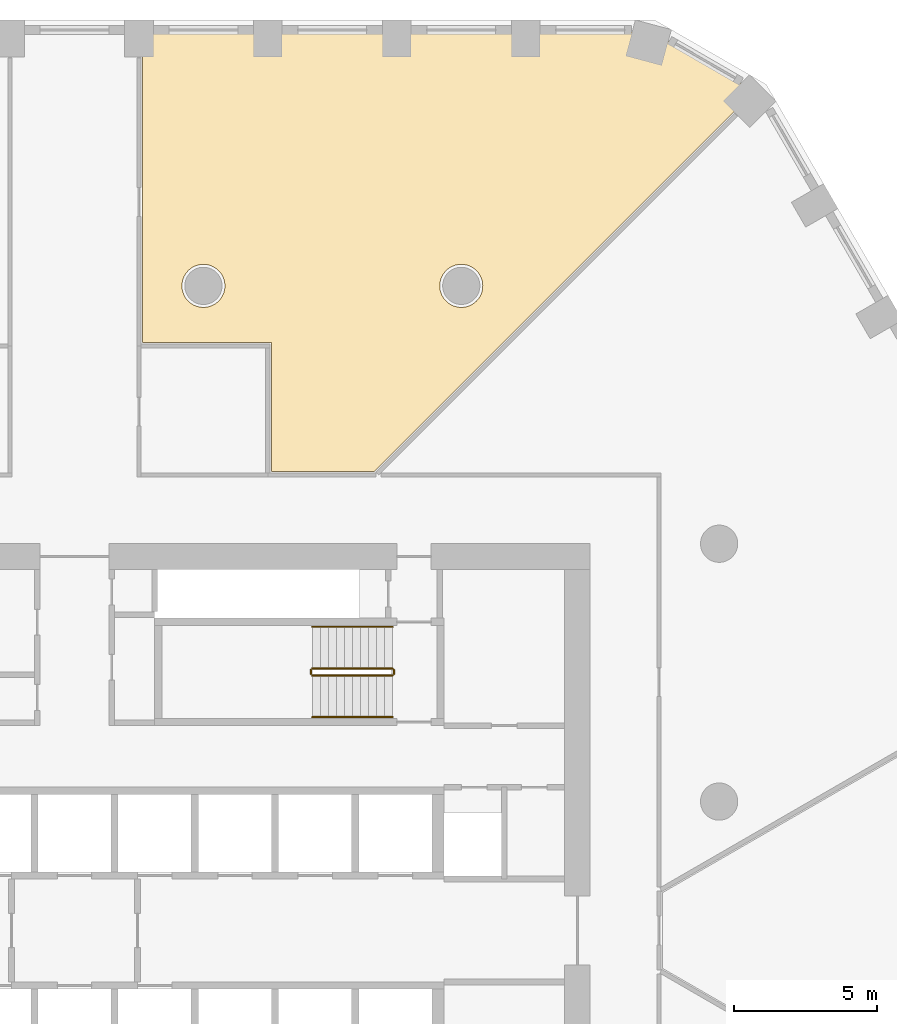
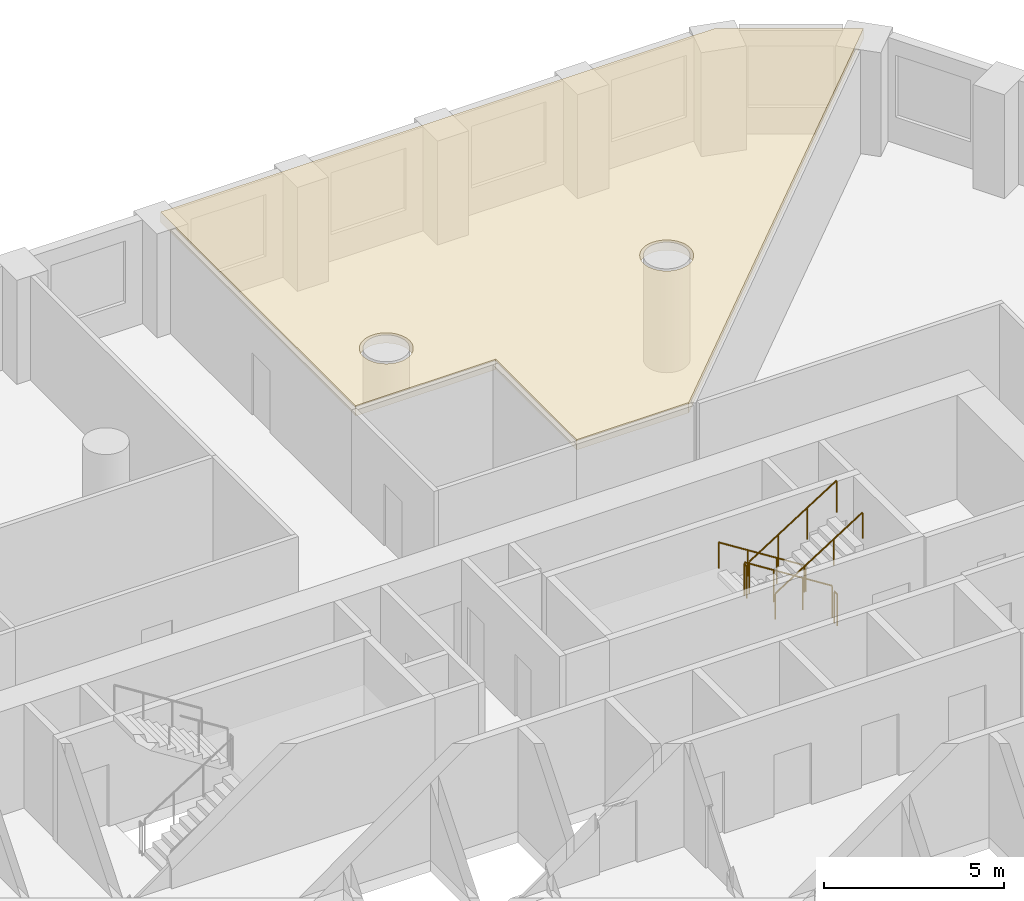
# One storey, part 13 of 14: 6 railings, 1 covering.
"""IFC4 building model written with IfcOpenShell, lengths in metres."""

from ifc_helpers import new_model, si_unit, direction, frame, origin, origin_2d, place, context, subcontext, project, spatial, polyline, circle, outline, extrude, material, layer, layer_set, type_object, element, save


model = new_model("IFC4")

# Units and contexts
model_context = context("Model", 3, precision=1e-05, world=origin(), true_north=direction((0.0, 1.0)))
body_context = subcontext(model_context, "Body", "Model", "MODEL_VIEW")
ifc_project = project(units=[si_unit("LENGTHUNIT", "METRE"), si_unit("AREAUNIT", "SQUARE_METRE"), si_unit("VOLUMEUNIT", "CUBIC_METRE"), si_unit("PLANEANGLEUNIT", "RADIAN"), si_unit("MASSUNIT", "GRAM", prefix="KILO")], contexts=[model_context])

# Site, building, storey
site_placement = place(None, origin())
site = spatial("IfcSite", under=ifc_project, at=site_placement, CompositionType="ELEMENT")
building_placement = place(site_placement, origin())
building = spatial("IfcBuilding", under=site, at=building_placement, Name="Dhurran Vertical Campus", CompositionType="ELEMENT")
storey_placement = place(building_placement, frame((0.0, 0.0, 96.89990234375)))
storey = spatial("IfcBuildingStorey", under=building, at=storey_placement, Name="L23", CompositionType="ELEMENT", Elevation=96.89990234375)

# Railings
ifc_material_1 = material(Name="Stainless steel balustrade", Category="steel")
railing_type_1 = type_object("IfcRailingType", Name="co-RL-GUARD-1100", PredefinedType="GUARDRAIL", material=ifc_material_1)
railing_1_placement = place(storey_placement, frame((11.10009765625, 9.14990234375, 0.177490234375)))
element("IfcRailing", 1, at=railing_1_placement, inside=storey, type_object=railing_type_1, Name="L23 ST2 stair guard 1", PredefinedType="GUARDRAIL", context=body_context, shape_type="SweptSolid", body=[
    extrude(circle(Radius=0.02392578125, at=origin_2d()), frame((0.0, 0.0, 1.076171875), z_axis=(-0.844908973607, 0.0, 0.534910110503), x_axis=(0.0, -1.0, 0.0)), (0.0, 0.0, 1.0), 3.31396484375),
    extrude(circle(Radius=0.02099609375, at=origin_2d()), origin(), (0.0, 0.0, 1.0), 1.052001953125),
    extrude(circle(Radius=0.02099609375, at=origin_2d()), frame((-0.933349609375, 0.0, 0.5908203125)), (0.0, 0.0, 1.0), 1.052001953125),
    extrude(circle(Radius=0.02099609375, at=origin_2d()), frame((-1.86669921875, 0.0, 1.181884765625)), (0.0, 0.0, 1.0), 1.052001953125),
    extrude(circle(Radius=0.02099609375, at=origin_2d()), frame((-2.800048828125, 0.0, 1.772705078125)), (0.0, 0.0, 1.0), 1.052001953125),
])
railing_2_placement = place(storey_placement, frame((8.25, 9.10009765625, 1.9501953125)))
element("IfcRailing", 2, at=railing_2_placement, inside=storey, type_object=railing_type_1, Name="L23 ST2 stair guard 2", PredefinedType="GUARDRAIL", context=body_context, shape_type="SweptSolid", body=[
    extrude(circle(Radius=0.02392578125, at=origin_2d()), frame((0.0, 0.0, 1.076171875), z_axis=(0.0, -1.0, 0.0), x_axis=(1.0, 0.0, 0.0)), (0.0, 0.0, 1.0), 0.150146484375),
    extrude(circle(Radius=0.02099609375, at=origin_2d()), origin(), (0.0, 0.0, 1.0), 1.052001953125),
    extrude(circle(Radius=0.02099609375, at=origin_2d()), frame((0.0, -0.150146484375, 0.0)), (0.0, 0.0, 1.0), 1.052001953125),
])
railing_3_placement = place(storey_placement, frame((8.300048828125, 8.89990234375, 2.12744140625)))
element("IfcRailing", 3, at=railing_3_placement, inside=storey, type_object=railing_type_1, Name="L23 ST2 stair guard 3", PredefinedType="GUARDRAIL", context=body_context, shape_type="SweptSolid", body=[
    extrude(circle(Radius=0.02392578125, at=origin_2d()), frame((0.0, 0.0, 1.076171875), z_axis=(0.844908973607, 0.0, 0.534910110503), x_axis=(0.0, 1.0, 0.0)), (0.0, 0.0, 1.0), 3.31396484375),
    extrude(circle(Radius=0.02099609375, at=origin_2d()), origin(), (0.0, 0.0, 1.0), 1.052001953125),
    extrude(circle(Radius=0.02099609375, at=origin_2d()), frame((0.933349609375, 0.0, 0.5908203125)), (0.0, 0.0, 1.0), 1.052001953125),
    extrude(circle(Radius=0.02099609375, at=origin_2d()), frame((1.86669921875, 0.0, 1.181884765625)), (0.0, 0.0, 1.0), 1.052001953125),
    extrude(circle(Radius=0.02099609375, at=origin_2d()), frame((2.800048828125, 0.0, 1.772705078125)), (0.0, 0.0, 1.0), 1.052001953125),
])
railing_4_placement = place(storey_placement, frame((11.14990234375, 9.10009765625, 0.0)))
element("IfcRailing", 4, at=railing_4_placement, inside=storey, type_object=railing_type_1, Name="L23 ST2 stair guard 4", PredefinedType="GUARDRAIL", context=body_context, shape_type="SweptSolid", body=[
    extrude(circle(Radius=0.02392578125, at=origin_2d()), frame((0.0, 0.0, 1.076171875), z_axis=(0.0, -1.0, 0.0), x_axis=(1.0, 0.0, 0.0)), (0.0, 0.0, 1.0), 0.150146484375),
    extrude(circle(Radius=0.02099609375, at=origin_2d()), origin(), (0.0, 0.0, 1.0), 1.052001953125),
    extrude(circle(Radius=0.02099609375, at=origin_2d()), frame((0.0, -0.150146484375, 0.0)), (0.0, 0.0, 1.0), 1.052001953125),
])
ifc_material_2 = material(Name="Stainless steel handrail", Category="steel")
railing_type_2 = type_object("IfcRailingType", Name="co-RL-HANDRAIL-900", PredefinedType="HANDRAIL", material=ifc_material_2)
railing_5_placement = place(storey_placement, frame((11.10009765625, 10.60009765625, 0.177490234375)))
element("IfcRailing", 5, at=railing_5_placement, inside=storey, type_object=railing_type_2, Name="L23 ST2 stair handrail 1", PredefinedType="HANDRAIL", context=body_context, shape_type="SweptSolid", body=[
    extrude(circle(Radius=0.02392578125, at=origin_2d()), frame((0.0, 0.0, 0.8759765625), z_axis=(-0.844908973607, 0.0, 0.534910110503), x_axis=(0.0, -1.0, 0.0)), (0.0, 0.0, 1.0), 3.31396484375),
    extrude(circle(Radius=0.02099609375, at=origin_2d()), origin(), (0.0, 0.0, 1.0), 0.851806640625),
    extrude(circle(Radius=0.02099609375, at=origin_2d()), frame((-0.933349609375, 0.0, 0.5908203125)), (0.0, 0.0, 1.0), 0.851806640625),
    extrude(circle(Radius=0.02099609375, at=origin_2d()), frame((-1.86669921875, 0.0, 1.181884765625)), (0.0, 0.0, 1.0), 0.851806640625),
    extrude(circle(Radius=0.02099609375, at=origin_2d()), frame((-2.800048828125, 0.0, 1.772705078125)), (0.0, 0.0, 1.0), 0.851806640625),
])
railing_6_placement = place(storey_placement, frame((8.300048828125, 7.449951171875, 2.12744140625)))
element("IfcRailing", 6, at=railing_6_placement, inside=storey, type_object=railing_type_2, Name="L23 ST2 stair handrail 2", PredefinedType="HANDRAIL", context=body_context, shape_type="SweptSolid", body=[
    extrude(circle(Radius=0.02392578125, at=origin_2d()), frame((0.0, 0.0, 0.8759765625), z_axis=(0.844908973607, 0.0, 0.534910110503), x_axis=(0.0, 1.0, 0.0)), (0.0, 0.0, 1.0), 3.31396484375),
    extrude(circle(Radius=0.02099609375, at=origin_2d()), origin(), (0.0, 0.0, 1.0), 0.851806640625),
    extrude(circle(Radius=0.02099609375, at=origin_2d()), frame((0.933349609375, 0.0, 0.5908203125)), (0.0, 0.0, 1.0), 0.851806640625),
    extrude(circle(Radius=0.02099609375, at=origin_2d()), frame((1.86669921875, 0.0, 1.181884765625)), (0.0, 0.0, 1.0), 0.851806640625),
    extrude(circle(Radius=0.02099609375, at=origin_2d()), frame((2.800048828125, 0.0, 1.772705078125)), (0.0, 0.0, 1.0), 0.851806640625),
])

# Covering
ifc_material_3 = material(Name="Mineral fibre ceiling tiles on suspended grid")
ifc_layer = layer(ifc_material_3, 0.35009765625)
ifc_layer_set = layer_set([ifc_layer], Name="Mineral fibre ceiling tiles on suspended grid")
covering_type = type_object("IfcCoveringType", Name="fl-CE-350 suspended ceiling", PredefinedType="CEILING", material=ifc_layer_set)
covering_placement = place(storey_placement, frame((0.0, 0.0, 3.175048828125)))
element("IfcCovering", 7, at=covering_placement, inside=storey, type_object=covering_type, Name="Ceiling 23-15", PredefinedType="CEILING", context=body_context, shape_type="SweptSolid", body=[
    extrude(outline(polyline([(10.467041015625, 16.02001953125), (6.8701171875, 16.02001953125), (6.8701171875, 20.52001953125), (2.3701171875, 20.52001953125), (2.3701171875, 31.360107421875), (20.137939453125, 31.360107421875), (23.73193359375, 29.283935546875), (10.467041015625, 16.02001953125)]), holes=[polyline([(5.080078125, 22.97607421875), (5.030029296875, 23.030029296875), (4.97607421875, 23.080078125), (4.9169921875, 23.1240234375), (4.85400390625, 23.160888671875), (4.787109375, 23.193115234375), (4.718017578125, 23.218017578125), (4.64599609375, 23.236083984375), (4.573974609375, 23.24609375), (4.5, 23.25), (4.426025390625, 23.24609375), (4.35400390625, 23.236083984375), (4.281982421875, 23.218017578125), (4.212890625, 23.193115234375), (4.14599609375, 23.160888671875), (4.0830078125, 23.1240234375), (4.02392578125, 23.080078125), (3.969970703125, 23.030029296875), (3.919921875, 22.97607421875), (3.8759765625, 22.9169921875), (3.839111328125, 22.85400390625), (3.806884765625, 22.787109375), (3.781982421875, 22.718017578125), (3.763916015625, 22.64599609375), (3.75390625, 22.573974609375), (3.75, 22.5), (3.75390625, 22.426025390625), (3.763916015625, 22.35400390625), (3.781982421875, 22.281982421875), (3.806884765625, 22.212890625), (3.839111328125, 22.14599609375), (3.8759765625, 22.0830078125), (3.919921875, 22.02392578125), (3.969970703125, 21.969970703125), (4.02392578125, 21.919921875), (4.0830078125, 21.8759765625), (4.14599609375, 21.839111328125), (4.212890625, 21.806884765625), (4.281982421875, 21.781982421875), (4.35400390625, 21.763916015625), (4.426025390625, 21.75390625), (4.5, 21.75), (4.573974609375, 21.75390625), (4.64599609375, 21.763916015625), (4.718017578125, 21.781982421875), (4.787109375, 21.806884765625), (4.85400390625, 21.839111328125), (4.9169921875, 21.8759765625), (4.97607421875, 21.919921875), (5.030029296875, 21.969970703125), (5.080078125, 22.02392578125), (5.1240234375, 22.0830078125), (5.160888671875, 22.14599609375), (5.193115234375, 22.212890625), (5.218017578125, 22.281982421875), (5.236083984375, 22.35400390625), (5.24609375, 22.426025390625), (5.25, 22.5), (5.24609375, 22.573974609375), (5.236083984375, 22.64599609375), (5.218017578125, 22.718017578125), (5.193115234375, 22.787109375), (5.160888671875, 22.85400390625), (5.1240234375, 22.9169921875), (5.080078125, 22.97607421875)]), polyline([(14.160888671875, 22.85400390625), (14.1240234375, 22.9169921875), (14.080078125, 22.97607421875), (14.030029296875, 23.030029296875), (13.97607421875, 23.080078125), (13.9169921875, 23.1240234375), (13.85400390625, 23.160888671875), (13.787109375, 23.193115234375), (13.718017578125, 23.218017578125), (13.64599609375, 23.236083984375), (13.573974609375, 23.24609375), (13.5, 23.25), (13.426025390625, 23.24609375), (13.35400390625, 23.236083984375), (13.281982421875, 23.218017578125), (13.212890625, 23.193115234375), (13.14599609375, 23.160888671875), (13.0830078125, 23.1240234375), (13.02392578125, 23.080078125), (12.969970703125, 23.030029296875), (12.919921875, 22.97607421875), (12.8759765625, 22.9169921875), (12.839111328125, 22.85400390625), (12.806884765625, 22.787109375), (12.781982421875, 22.718017578125), (12.763916015625, 22.64599609375), (12.75390625, 22.573974609375), (12.75, 22.5), (12.75390625, 22.426025390625), (12.763916015625, 22.35400390625), (12.781982421875, 22.281982421875), (12.806884765625, 22.212890625), (12.839111328125, 22.14599609375), (12.8759765625, 22.0830078125), (12.919921875, 22.02392578125), (12.969970703125, 21.969970703125), (13.02392578125, 21.919921875), (13.0830078125, 21.8759765625), (13.14599609375, 21.839111328125), (13.212890625, 21.806884765625), (13.281982421875, 21.781982421875), (13.35400390625, 21.763916015625), (13.426025390625, 21.75390625), (13.5, 21.75), (13.573974609375, 21.75390625), (13.64599609375, 21.763916015625), (13.718017578125, 21.781982421875), (13.787109375, 21.806884765625), (13.85400390625, 21.839111328125), (13.9169921875, 21.8759765625), (13.97607421875, 21.919921875), (14.030029296875, 21.969970703125), (14.080078125, 22.02392578125), (14.1240234375, 22.0830078125), (14.160888671875, 22.14599609375), (14.193115234375, 22.212890625), (14.218017578125, 22.281982421875), (14.236083984375, 22.35400390625), (14.24609375, 22.426025390625), (14.25, 22.5), (14.24609375, 22.573974609375), (14.236083984375, 22.64599609375), (14.218017578125, 22.718017578125), (14.193115234375, 22.787109375), (14.160888671875, 22.85400390625)])]), origin(), (0.0, 0.0, 1.0), 0.35009765625),
])

save(model, "model.ifc")
